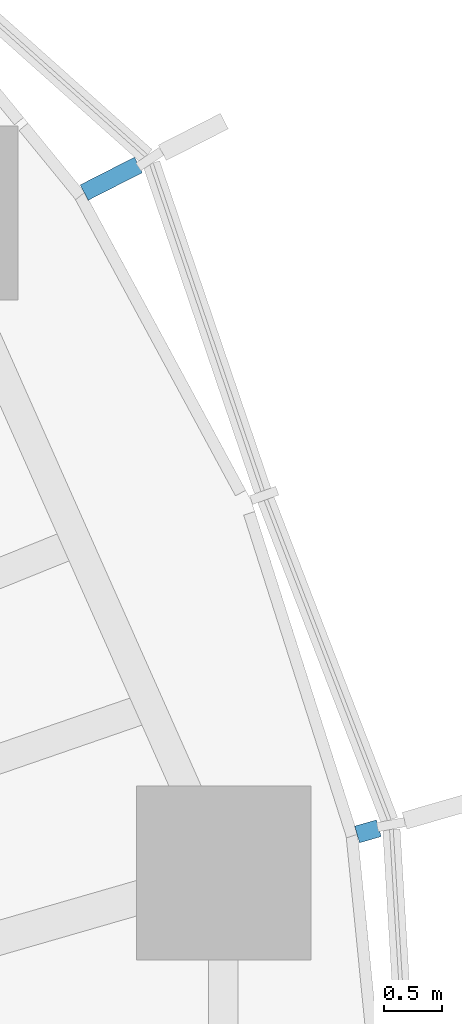
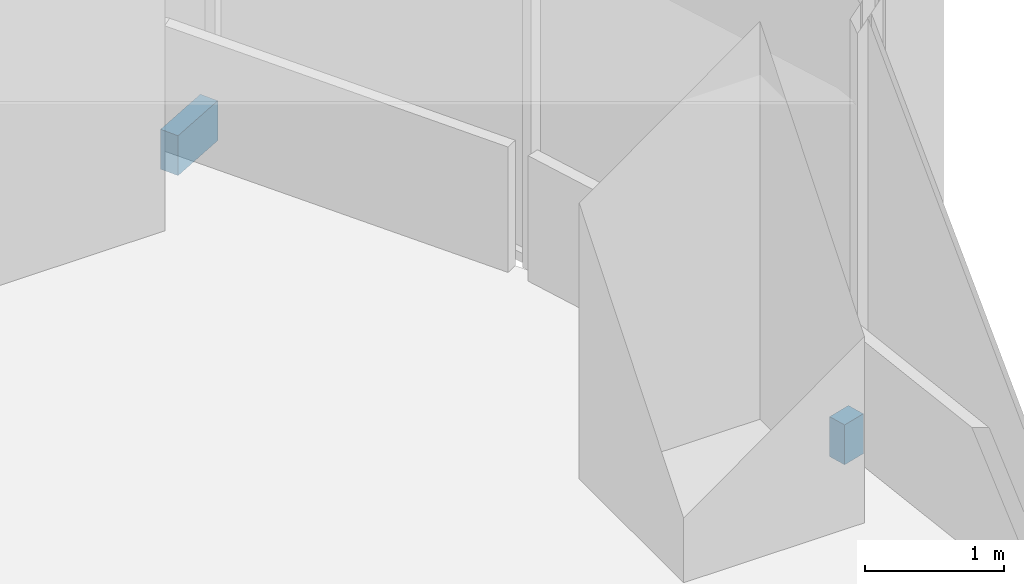
# One storey, part 16 of 18: 2 discrete accessories.
"""IFC4 building model written with IfcOpenShell, lengths in metres."""

from ifc_helpers import new_model, si_unit, direction, frame, origin, origin_2d, place, context, subcontext, project, spatial, rectangle, extrude, material, type_object, element, save


model = new_model("IFC4")

# Units and contexts
model_context = context("Model", 3, precision=1e-05, world=origin(), true_north=direction((0.0, 1.0)))
body_context = subcontext(model_context, "Body", "Model", "MODEL_VIEW")
ifc_project = project(units=[si_unit("LENGTHUNIT", "METRE"), si_unit("AREAUNIT", "SQUARE_METRE"), si_unit("VOLUMEUNIT", "CUBIC_METRE"), si_unit("PLANEANGLEUNIT", "RADIAN"), si_unit("MASSUNIT", "GRAM", prefix="KILO")], contexts=[model_context])

# Site, building, storey
site_placement = place(None, origin())
site = spatial("IfcSite", under=ifc_project, at=site_placement, CompositionType="ELEMENT")
building_placement = place(site_placement, origin())
building = spatial("IfcBuilding", under=site, at=building_placement, Name="Ghaith Harvest Tower", CompositionType="ELEMENT")
storey_placement = place(building_placement, frame((0.0, 0.0, 138.60009765625)))
storey = spatial("IfcBuildingStorey", under=building, at=storey_placement, Name="L29", CompositionType="ELEMENT", Elevation=138.60009765625)

# Discrete accessories
ifc_material_1 = material(Name="Stainless steel grade 1.4401", Category="steel")
discrete_accessory_type_1 = type_object("IfcDiscreteAccessoryType", Name="CURTAIN WALL BRACKET 195", PredefinedType="BRACKET", material=ifc_material_1)
discrete_accessory_1_placement = place(storey_placement, frame((30.528076171875, 8.8232421875, -0.250244140625), z_axis=(0.0, 0.0, 1.0), x_axis=(0.960680349985, 0.277656739792, 0.0)))
element("IfcDiscreteAccessory", 1, at=discrete_accessory_1_placement, inside=storey, type_object=discrete_accessory_type_1, Name="CW-L bracket 1 bay 02 L29", PredefinedType="BRACKET", context=body_context, shape_type="SweptSolid", body=[
    extrude(rectangle(XDim=0.195068359375, YDim=0.14990234375, at=origin_2d()), origin(), (0.0, 0.0, 1.0), 0.35009765625),
])
ifc_material_2 = material(Name="Stainless steel grade 1.4401", Category="steel")
discrete_accessory_type_2 = type_object("IfcDiscreteAccessoryType", Name="CURTAIN WALL BRACKET 525", PredefinedType="BRACKET", material=ifc_material_2)
discrete_accessory_2_placement = place(storey_placement, frame((28.318115234375, 14.442626953125, -0.250244140625), z_axis=(0.0, 0.0, 1.0), x_axis=(0.890830752257, 0.454335306611, 0.0)))
element("IfcDiscreteAccessory", 2, at=discrete_accessory_2_placement, inside=storey, type_object=discrete_accessory_type_2, Name="CW-L bracket 3 bay 02 L29", PredefinedType="BRACKET", context=body_context, shape_type="SweptSolid", body=[
    extrude(rectangle(XDim=0.52490234375, YDim=0.14990234375, at=origin_2d()), origin(), (0.0, 0.0, 1.0), 0.35009765625),
])

save(model, "model.ifc")
